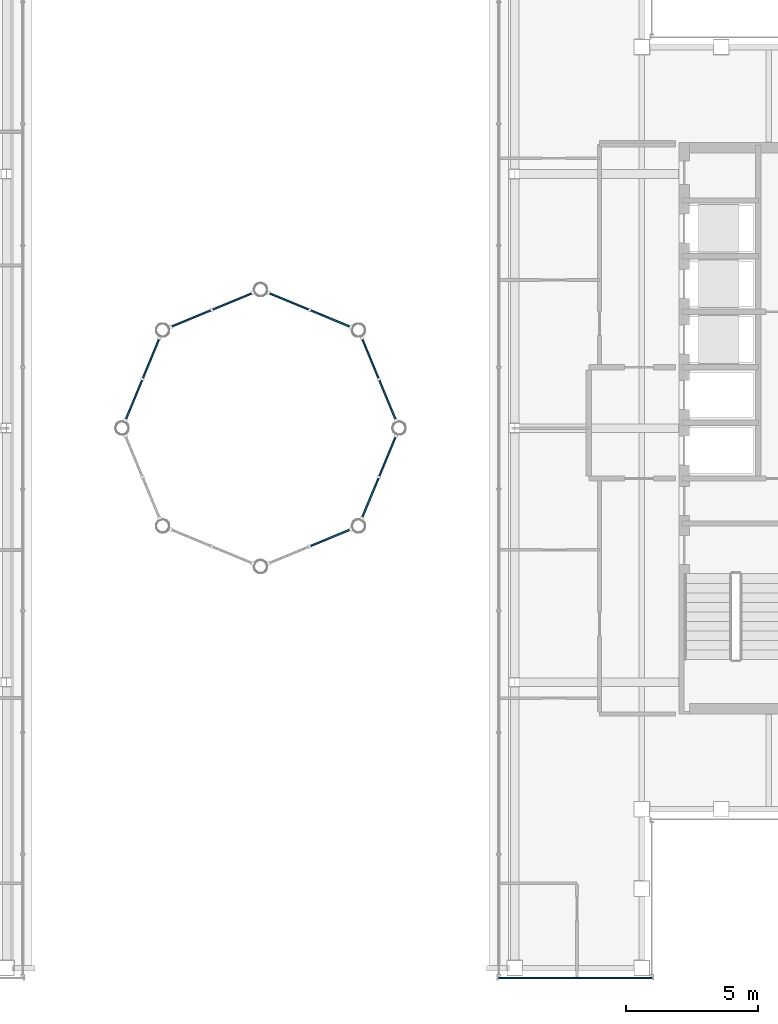
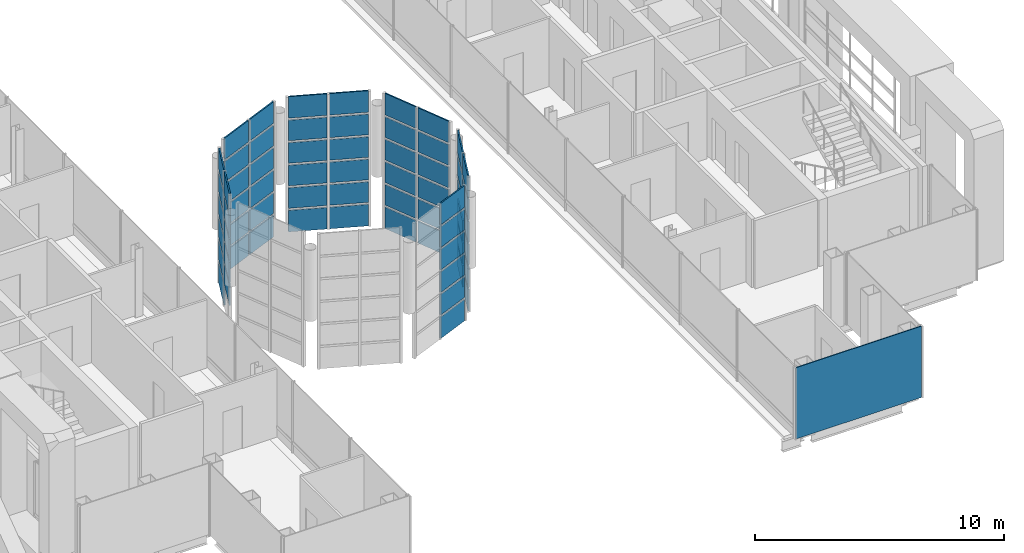
# One storey, part 11 of 21: 66 plates, 7 elements without a shape of their own.
"""IFC4 building model written with IfcOpenShell, lengths in metres."""

from ifc_helpers import new_model, si_unit, direction, frame, origin, origin_2d, place, context, subcontext, project, spatial, rectangle, extrude, material, layer, layer_set, type_object, element, aggregate, save


model = new_model("IFC4")

# Units and contexts
model_context = context("Model", 3, precision=1e-05, world=origin(), true_north=direction((0.0, 1.0)))
body_context = subcontext(model_context, "Body", "Model", "MODEL_VIEW")
ifc_project = project(units=[si_unit("LENGTHUNIT", "METRE"), si_unit("AREAUNIT", "SQUARE_METRE"), si_unit("VOLUMEUNIT", "CUBIC_METRE"), si_unit("PLANEANGLEUNIT", "RADIAN"), si_unit("MASSUNIT", "GRAM", prefix="KILO")], contexts=[model_context])

# Site, building, storey
site_placement = place(None, origin())
site = spatial("IfcSite", under=ifc_project, at=site_placement, CompositionType="ELEMENT")
building_placement = place(site_placement, origin())
building = spatial("IfcBuilding", under=site, at=building_placement, Name="Cobrizo Arcos Hotel Tower", CompositionType="ELEMENT")
storey_placement = place(building_placement, frame((0.0, 0.0, 276.0)))
storey = spatial("IfcBuildingStorey", under=building, at=storey_placement, Name="L73", CompositionType="ELEMENT", Elevation=276.0)

# Curtain wall, plate
ifc_material_1 = material(Name="Aluminium 6063-T6 anodised bronze", Category="aluminium")
curtain_wall_type_1 = type_object("IfcCurtainWallType", Name="CW-A guest facade", PredefinedType="NOTDEFINED", material=ifc_material_1)
curtain_wall_1_placement = place(storey_placement, origin())
curtain_wall_1 = element("IfcCurtainWall", 1, at=curtain_wall_1_placement, inside=storey, type_object=curtain_wall_type_1, Name="CW-A L73 S face", PredefinedType="NOTDEFINED")
ifc_material_2 = material(Name="Aluminium composite panel pale metal", Category="aluminium")
ifc_layer_1 = layer(ifc_material_2, 0.0400390625)
ifc_layer_set_1 = layer_set([ifc_layer_1], Name="CW-A spandrel panel")
plate_type_1 = type_object("IfcPlateType", Name="CW-A spandrel panel", PredefinedType="CURTAIN_PANEL", material=ifc_layer_set_1)
plate_1_placement = place(storey_placement, frame((11.882568359375, -20.77490234375, 0.0), z_axis=(0.0, 0.0, 1.0), x_axis=(1.0, 0.0, 0.0)))
plate_1 = element("IfcPlate", 2, at=plate_1_placement, type_object=plate_type_1, Name="CW-A spandrel panel 2300", PredefinedType="CURTAIN_PANEL", context=body_context, shape_type="SweptSolid", body=[
    extrude(rectangle(XDim=5.81494140625, YDim=0.0400390625, at=origin_2d()), origin(), (0.0, 0.0, 1.0), 3.5),
])
aggregate(curtain_wall_1, [plate_1])

# Curtain wall, plates
curtain_wall_type_2 = type_object("IfcCurtainWallType", Name="CW-D plant louvre wall", PredefinedType="NOTDEFINED", material=ifc_material_1)
curtain_wall_2_placement = place(storey_placement, origin())
curtain_wall_2 = element("IfcCurtainWall", 3, at=curtain_wall_2_placement, inside=storey, type_object=curtain_wall_type_2, Name="CW-D drum louvre wall t1-1", PredefinedType="NOTDEFINED")
ifc_layer_2 = layer(ifc_material_2, 0.06005859375)
ifc_layer_set_2 = layer_set([ifc_layer_2], Name="CW-D spandrel panel")
plate_type_2 = type_object("IfcPlateType", Name="CW-D spandrel panel", PredefinedType="CURTAIN_PANEL", material=ifc_layer_set_2)
plate_2_placement = place(storey_placement, frame((4.785400390625, 1.079345703125, -2.5), z_axis=(0.0, 0.0, 1.0), x_axis=(-0.382683432365, 0.923879532511, 0.0)))
plate_2 = element("IfcPlate", 4, at=plate_2_placement, type_object=plate_type_2, Name="CW-D louvre panel 1-0", PredefinedType="CURTAIN_PANEL", context=body_context, shape_type="SweptSolid", body=[
    extrude(rectangle(XDim=1.568359375, YDim=0.06005859375, at=origin_2d()), origin(), (0.0, 0.0, 1.0), 1.0556640625),
])
plate_3_placement = place(storey_placement, frame((4.785400390625, 1.079345703125, -1.3447265625), z_axis=(0.0, 0.0, 1.0), x_axis=(-0.382683432365, 0.923879532511, 0.0)))
plate_3 = element("IfcPlate", 5, at=plate_3_placement, type_object=plate_type_2, Name="CW-D louvre panel 1-1", PredefinedType="CURTAIN_PANEL", context=body_context, shape_type="SweptSolid", body=[
    extrude(rectangle(XDim=1.568359375, YDim=0.06005859375, at=origin_2d()), origin(), (0.0, 0.0, 1.0), 1.005615234375),
])
plate_4_placement = place(storey_placement, frame((4.785400390625, 1.079345703125, -0.23876953125), z_axis=(0.0, 0.0, 1.0), x_axis=(-0.382683432365, 0.923879532511, 0.0)))
plate_4 = element("IfcPlate", 6, at=plate_4_placement, type_object=plate_type_2, Name="CW-D louvre panel 1-2", PredefinedType="CURTAIN_PANEL", context=body_context, shape_type="SweptSolid", body=[
    extrude(rectangle(XDim=1.568359375, YDim=0.06005859375, at=origin_2d()), origin(), (0.0, 0.0, 1.0), 1.005615234375),
])
plate_5_placement = place(storey_placement, frame((4.785400390625, 1.079345703125, 0.86669921875), z_axis=(0.0, 0.0, 1.0), x_axis=(-0.382683432365, 0.923879532511, 0.0)))
plate_5 = element("IfcPlate", 7, at=plate_5_placement, type_object=plate_type_2, Name="CW-D louvre panel 1-3", PredefinedType="CURTAIN_PANEL", context=body_context, shape_type="SweptSolid", body=[
    extrude(rectangle(XDim=1.568359375, YDim=0.06005859375, at=origin_2d()), origin(), (0.0, 0.0, 1.0), 1.005615234375),
])
plate_6_placement = place(storey_placement, frame((4.785400390625, 1.079345703125, 1.97216796875), z_axis=(0.0, 0.0, 1.0), x_axis=(-0.382683432365, 0.923879532511, 0.0)))
plate_6 = element("IfcPlate", 8, at=plate_6_placement, type_object=plate_type_2, Name="CW-D louvre panel 1-4", PredefinedType="CURTAIN_PANEL", context=body_context, shape_type="SweptSolid", body=[
    extrude(rectangle(XDim=1.568359375, YDim=0.06005859375, at=origin_2d()), origin(), (0.0, 0.0, 1.0), 1.005615234375),
])
plate_7_placement = place(storey_placement, frame((4.785400390625, 1.079345703125, 3.077880859375), z_axis=(0.0, 0.0, 1.0), x_axis=(-0.382683432365, 0.923879532511, 0.0)))
plate_7 = element("IfcPlate", 9, at=plate_7_placement, type_object=plate_type_2, Name="CW-D louvre panel 1-5", PredefinedType="CURTAIN_PANEL", context=body_context, shape_type="SweptSolid", body=[
    extrude(rectangle(XDim=1.568359375, YDim=0.06005859375, at=origin_2d()), origin(), (0.0, 0.0, 1.0), 1.0556640625),
])
plate_8_placement = place(storey_placement, frame((4.147216796875, 2.62060546875, -2.5), z_axis=(0.0, 0.0, 1.0), x_axis=(-0.382683432365, 0.923879532511, 0.0)))
plate_8 = element("IfcPlate", 10, at=plate_8_placement, type_object=plate_type_2, Name="CW-D louvre panel 2-0", PredefinedType="CURTAIN_PANEL", context=body_context, shape_type="SweptSolid", body=[
    extrude(rectangle(XDim=1.568359375, YDim=0.06005859375, at=origin_2d()), origin(), (0.0, 0.0, 1.0), 1.0556640625),
])
plate_9_placement = place(storey_placement, frame((4.147216796875, 2.62060546875, -1.3447265625), z_axis=(0.0, 0.0, 1.0), x_axis=(-0.382683432365, 0.923879532511, 0.0)))
plate_9 = element("IfcPlate", 11, at=plate_9_placement, type_object=plate_type_2, Name="CW-D louvre panel 2-1", PredefinedType="CURTAIN_PANEL", context=body_context, shape_type="SweptSolid", body=[
    extrude(rectangle(XDim=1.568359375, YDim=0.06005859375, at=origin_2d()), origin(), (0.0, 0.0, 1.0), 1.005615234375),
])
plate_10_placement = place(storey_placement, frame((4.147216796875, 2.62060546875, -0.23876953125), z_axis=(0.0, 0.0, 1.0), x_axis=(-0.382683432365, 0.923879532511, 0.0)))
plate_10 = element("IfcPlate", 12, at=plate_10_placement, type_object=plate_type_2, Name="CW-D louvre panel 2-2", PredefinedType="CURTAIN_PANEL", context=body_context, shape_type="SweptSolid", body=[
    extrude(rectangle(XDim=1.568359375, YDim=0.06005859375, at=origin_2d()), origin(), (0.0, 0.0, 1.0), 1.005615234375),
])
plate_11_placement = place(storey_placement, frame((4.147216796875, 2.62060546875, 0.86669921875), z_axis=(0.0, 0.0, 1.0), x_axis=(-0.382683432365, 0.923879532511, 0.0)))
plate_11 = element("IfcPlate", 13, at=plate_11_placement, type_object=plate_type_2, Name="CW-D louvre panel 2-3", PredefinedType="CURTAIN_PANEL", context=body_context, shape_type="SweptSolid", body=[
    extrude(rectangle(XDim=1.568359375, YDim=0.06005859375, at=origin_2d()), origin(), (0.0, 0.0, 1.0), 1.005615234375),
])
plate_12_placement = place(storey_placement, frame((4.147216796875, 2.62060546875, 1.97216796875), z_axis=(0.0, 0.0, 1.0), x_axis=(-0.382683432365, 0.923879532511, 0.0)))
plate_12 = element("IfcPlate", 14, at=plate_12_placement, type_object=plate_type_2, Name="CW-D louvre panel 2-4", PredefinedType="CURTAIN_PANEL", context=body_context, shape_type="SweptSolid", body=[
    extrude(rectangle(XDim=1.568359375, YDim=0.06005859375, at=origin_2d()), origin(), (0.0, 0.0, 1.0), 1.005615234375),
])
plate_13_placement = place(storey_placement, frame((4.147216796875, 2.62060546875, 3.077880859375), z_axis=(0.0, 0.0, 1.0), x_axis=(-0.382683432365, 0.923879532511, 0.0)))
plate_13 = element("IfcPlate", 15, at=plate_13_placement, type_object=plate_type_2, Name="CW-D louvre panel 2-5", PredefinedType="CURTAIN_PANEL", context=body_context, shape_type="SweptSolid", body=[
    extrude(rectangle(XDim=1.568359375, YDim=0.06005859375, at=origin_2d()), origin(), (0.0, 0.0, 1.0), 1.0556640625),
])
aggregate(curtain_wall_2, [plate_2, plate_3, plate_4, plate_5, plate_6, plate_7, plate_8, plate_9, plate_10, plate_11, plate_12, plate_13])

curtain_wall_3_placement = place(storey_placement, origin())
curtain_wall_3 = element("IfcCurtainWall", 16, at=curtain_wall_3_placement, inside=storey, type_object=curtain_wall_type_2, Name="CW-D drum louvre wall t1-2", PredefinedType="NOTDEFINED")
plate_14_placement = place(storey_placement, frame((2.62060546875, 4.147216796875, -2.5), z_axis=(0.0, 0.0, 1.0), x_axis=(-0.923879532511, 0.382683432365, 0.0)))
plate_14 = element("IfcPlate", 17, at=plate_14_placement, type_object=plate_type_2, Name="CW-D louvre panel 1-0", PredefinedType="CURTAIN_PANEL", context=body_context, shape_type="SweptSolid", body=[
    extrude(rectangle(XDim=1.568359375, YDim=0.06005859375, at=origin_2d()), origin(), (0.0, 0.0, 1.0), 1.0556640625),
])
plate_15_placement = place(storey_placement, frame((2.62060546875, 4.147216796875, -1.3447265625), z_axis=(0.0, 0.0, 1.0), x_axis=(-0.923879532511, 0.382683432365, 0.0)))
plate_15 = element("IfcPlate", 18, at=plate_15_placement, type_object=plate_type_2, Name="CW-D louvre panel 1-1", PredefinedType="CURTAIN_PANEL", context=body_context, shape_type="SweptSolid", body=[
    extrude(rectangle(XDim=1.568359375, YDim=0.06005859375, at=origin_2d()), origin(), (0.0, 0.0, 1.0), 1.005615234375),
])
plate_16_placement = place(storey_placement, frame((2.62060546875, 4.147216796875, -0.23876953125), z_axis=(0.0, 0.0, 1.0), x_axis=(-0.923879532511, 0.382683432365, 0.0)))
plate_16 = element("IfcPlate", 19, at=plate_16_placement, type_object=plate_type_2, Name="CW-D louvre panel 1-2", PredefinedType="CURTAIN_PANEL", context=body_context, shape_type="SweptSolid", body=[
    extrude(rectangle(XDim=1.568359375, YDim=0.06005859375, at=origin_2d()), origin(), (0.0, 0.0, 1.0), 1.005615234375),
])
plate_17_placement = place(storey_placement, frame((2.62060546875, 4.147216796875, 0.86669921875), z_axis=(0.0, 0.0, 1.0), x_axis=(-0.923879532511, 0.382683432365, 0.0)))
plate_17 = element("IfcPlate", 20, at=plate_17_placement, type_object=plate_type_2, Name="CW-D louvre panel 1-3", PredefinedType="CURTAIN_PANEL", context=body_context, shape_type="SweptSolid", body=[
    extrude(rectangle(XDim=1.568359375, YDim=0.06005859375, at=origin_2d()), origin(), (0.0, 0.0, 1.0), 1.005615234375),
])
plate_18_placement = place(storey_placement, frame((2.62060546875, 4.147216796875, 1.97216796875), z_axis=(0.0, 0.0, 1.0), x_axis=(-0.923879532511, 0.382683432365, 0.0)))
plate_18 = element("IfcPlate", 21, at=plate_18_placement, type_object=plate_type_2, Name="CW-D louvre panel 1-4", PredefinedType="CURTAIN_PANEL", context=body_context, shape_type="SweptSolid", body=[
    extrude(rectangle(XDim=1.568359375, YDim=0.06005859375, at=origin_2d()), origin(), (0.0, 0.0, 1.0), 1.005615234375),
])
plate_19_placement = place(storey_placement, frame((2.62060546875, 4.147216796875, 3.077880859375), z_axis=(0.0, 0.0, 1.0), x_axis=(-0.923879532511, 0.382683432365, 0.0)))
plate_19 = element("IfcPlate", 22, at=plate_19_placement, type_object=plate_type_2, Name="CW-D louvre panel 1-5", PredefinedType="CURTAIN_PANEL", context=body_context, shape_type="SweptSolid", body=[
    extrude(rectangle(XDim=1.568359375, YDim=0.06005859375, at=origin_2d()), origin(), (0.0, 0.0, 1.0), 1.0556640625),
])
plate_20_placement = place(storey_placement, frame((1.079345703125, 4.785400390625, -2.5), z_axis=(0.0, 0.0, 1.0), x_axis=(-0.923879532511, 0.382683432365, 0.0)))
plate_20 = element("IfcPlate", 23, at=plate_20_placement, type_object=plate_type_2, Name="CW-D louvre panel 2-0", PredefinedType="CURTAIN_PANEL", context=body_context, shape_type="SweptSolid", body=[
    extrude(rectangle(XDim=1.568359375, YDim=0.06005859375, at=origin_2d()), origin(), (0.0, 0.0, 1.0), 1.0556640625),
])
plate_21_placement = place(storey_placement, frame((1.079345703125, 4.785400390625, -1.3447265625), z_axis=(0.0, 0.0, 1.0), x_axis=(-0.923879532511, 0.382683432365, 0.0)))
plate_21 = element("IfcPlate", 24, at=plate_21_placement, type_object=plate_type_2, Name="CW-D louvre panel 2-1", PredefinedType="CURTAIN_PANEL", context=body_context, shape_type="SweptSolid", body=[
    extrude(rectangle(XDim=1.568359375, YDim=0.06005859375, at=origin_2d()), origin(), (0.0, 0.0, 1.0), 1.005615234375),
])
plate_22_placement = place(storey_placement, frame((1.079345703125, 4.785400390625, -0.23876953125), z_axis=(0.0, 0.0, 1.0), x_axis=(-0.923879532511, 0.382683432365, 0.0)))
plate_22 = element("IfcPlate", 25, at=plate_22_placement, type_object=plate_type_2, Name="CW-D louvre panel 2-2", PredefinedType="CURTAIN_PANEL", context=body_context, shape_type="SweptSolid", body=[
    extrude(rectangle(XDim=1.568359375, YDim=0.06005859375, at=origin_2d()), origin(), (0.0, 0.0, 1.0), 1.005615234375),
])
plate_23_placement = place(storey_placement, frame((1.079345703125, 4.785400390625, 0.86669921875), z_axis=(0.0, 0.0, 1.0), x_axis=(-0.923879532511, 0.382683432365, 0.0)))
plate_23 = element("IfcPlate", 26, at=plate_23_placement, type_object=plate_type_2, Name="CW-D louvre panel 2-3", PredefinedType="CURTAIN_PANEL", context=body_context, shape_type="SweptSolid", body=[
    extrude(rectangle(XDim=1.568359375, YDim=0.06005859375, at=origin_2d()), origin(), (0.0, 0.0, 1.0), 1.005615234375),
])
plate_24_placement = place(storey_placement, frame((1.079345703125, 4.785400390625, 1.97216796875), z_axis=(0.0, 0.0, 1.0), x_axis=(-0.923879532511, 0.382683432365, 0.0)))
plate_24 = element("IfcPlate", 27, at=plate_24_placement, type_object=plate_type_2, Name="CW-D louvre panel 2-4", PredefinedType="CURTAIN_PANEL", context=body_context, shape_type="SweptSolid", body=[
    extrude(rectangle(XDim=1.568359375, YDim=0.06005859375, at=origin_2d()), origin(), (0.0, 0.0, 1.0), 1.005615234375),
])
plate_25_placement = place(storey_placement, frame((1.079345703125, 4.785400390625, 3.077880859375), z_axis=(0.0, 0.0, 1.0), x_axis=(-0.923879532511, 0.382683432365, 0.0)))
plate_25 = element("IfcPlate", 28, at=plate_25_placement, type_object=plate_type_2, Name="CW-D louvre panel 2-5", PredefinedType="CURTAIN_PANEL", context=body_context, shape_type="SweptSolid", body=[
    extrude(rectangle(XDim=1.568359375, YDim=0.06005859375, at=origin_2d()), origin(), (0.0, 0.0, 1.0), 1.0556640625),
])
aggregate(curtain_wall_3, [plate_14, plate_15, plate_16, plate_17, plate_18, plate_19, plate_20, plate_21, plate_22, plate_23, plate_24, plate_25])

curtain_wall_4_placement = place(storey_placement, origin())
curtain_wall_4 = element("IfcCurtainWall", 29, at=curtain_wall_4_placement, inside=storey, type_object=curtain_wall_type_2, Name="CW-D drum louvre wall t1-3", PredefinedType="NOTDEFINED")
plate_26_placement = place(storey_placement, frame((-1.079345703125, 4.785400390625, -2.5), z_axis=(0.0, 0.0, 1.0), x_axis=(-0.923879532511, -0.382683432365, 0.0)))
plate_26 = element("IfcPlate", 30, at=plate_26_placement, type_object=plate_type_2, Name="CW-D louvre panel 1-0", PredefinedType="CURTAIN_PANEL", context=body_context, shape_type="SweptSolid", body=[
    extrude(rectangle(XDim=1.568359375, YDim=0.06005859375, at=origin_2d()), origin(), (0.0, 0.0, 1.0), 1.0556640625),
])
plate_27_placement = place(storey_placement, frame((-1.079345703125, 4.785400390625, -1.3447265625), z_axis=(0.0, 0.0, 1.0), x_axis=(-0.923879532511, -0.382683432365, 0.0)))
plate_27 = element("IfcPlate", 31, at=plate_27_placement, type_object=plate_type_2, Name="CW-D louvre panel 1-1", PredefinedType="CURTAIN_PANEL", context=body_context, shape_type="SweptSolid", body=[
    extrude(rectangle(XDim=1.568359375, YDim=0.06005859375, at=origin_2d()), origin(), (0.0, 0.0, 1.0), 1.005615234375),
])
plate_28_placement = place(storey_placement, frame((-1.079345703125, 4.785400390625, -0.23876953125), z_axis=(0.0, 0.0, 1.0), x_axis=(-0.923879532511, -0.382683432365, 0.0)))
plate_28 = element("IfcPlate", 32, at=plate_28_placement, type_object=plate_type_2, Name="CW-D louvre panel 1-2", PredefinedType="CURTAIN_PANEL", context=body_context, shape_type="SweptSolid", body=[
    extrude(rectangle(XDim=1.568359375, YDim=0.06005859375, at=origin_2d()), origin(), (0.0, 0.0, 1.0), 1.005615234375),
])
plate_29_placement = place(storey_placement, frame((-1.079345703125, 4.785400390625, 0.86669921875), z_axis=(0.0, 0.0, 1.0), x_axis=(-0.923879532511, -0.382683432365, 0.0)))
plate_29 = element("IfcPlate", 33, at=plate_29_placement, type_object=plate_type_2, Name="CW-D louvre panel 1-3", PredefinedType="CURTAIN_PANEL", context=body_context, shape_type="SweptSolid", body=[
    extrude(rectangle(XDim=1.568359375, YDim=0.06005859375, at=origin_2d()), origin(), (0.0, 0.0, 1.0), 1.005615234375),
])
plate_30_placement = place(storey_placement, frame((-1.079345703125, 4.785400390625, 1.97216796875), z_axis=(0.0, 0.0, 1.0), x_axis=(-0.923879532511, -0.382683432365, 0.0)))
plate_30 = element("IfcPlate", 34, at=plate_30_placement, type_object=plate_type_2, Name="CW-D louvre panel 1-4", PredefinedType="CURTAIN_PANEL", context=body_context, shape_type="SweptSolid", body=[
    extrude(rectangle(XDim=1.568359375, YDim=0.06005859375, at=origin_2d()), origin(), (0.0, 0.0, 1.0), 1.005615234375),
])
plate_31_placement = place(storey_placement, frame((-1.079345703125, 4.785400390625, 3.077880859375), z_axis=(0.0, 0.0, 1.0), x_axis=(-0.923879532511, -0.382683432365, 0.0)))
plate_31 = element("IfcPlate", 35, at=plate_31_placement, type_object=plate_type_2, Name="CW-D louvre panel 1-5", PredefinedType="CURTAIN_PANEL", context=body_context, shape_type="SweptSolid", body=[
    extrude(rectangle(XDim=1.568359375, YDim=0.06005859375, at=origin_2d()), origin(), (0.0, 0.0, 1.0), 1.0556640625),
])
plate_32_placement = place(storey_placement, frame((-2.62060546875, 4.147216796875, -2.5), z_axis=(0.0, 0.0, 1.0), x_axis=(-0.923879532511, -0.382683432365, 0.0)))
plate_32 = element("IfcPlate", 36, at=plate_32_placement, type_object=plate_type_2, Name="CW-D louvre panel 2-0", PredefinedType="CURTAIN_PANEL", context=body_context, shape_type="SweptSolid", body=[
    extrude(rectangle(XDim=1.568359375, YDim=0.06005859375, at=origin_2d()), origin(), (0.0, 0.0, 1.0), 1.0556640625),
])
plate_33_placement = place(storey_placement, frame((-2.62060546875, 4.147216796875, -1.3447265625), z_axis=(0.0, 0.0, 1.0), x_axis=(-0.923879532511, -0.382683432365, 0.0)))
plate_33 = element("IfcPlate", 37, at=plate_33_placement, type_object=plate_type_2, Name="CW-D louvre panel 2-1", PredefinedType="CURTAIN_PANEL", context=body_context, shape_type="SweptSolid", body=[
    extrude(rectangle(XDim=1.568359375, YDim=0.06005859375, at=origin_2d()), origin(), (0.0, 0.0, 1.0), 1.005615234375),
])
plate_34_placement = place(storey_placement, frame((-2.62060546875, 4.147216796875, -0.23876953125), z_axis=(0.0, 0.0, 1.0), x_axis=(-0.923879532511, -0.382683432365, 0.0)))
plate_34 = element("IfcPlate", 38, at=plate_34_placement, type_object=plate_type_2, Name="CW-D louvre panel 2-2", PredefinedType="CURTAIN_PANEL", context=body_context, shape_type="SweptSolid", body=[
    extrude(rectangle(XDim=1.568359375, YDim=0.06005859375, at=origin_2d()), origin(), (0.0, 0.0, 1.0), 1.005615234375),
])
plate_35_placement = place(storey_placement, frame((-2.62060546875, 4.147216796875, 0.86669921875), z_axis=(0.0, 0.0, 1.0), x_axis=(-0.923879532511, -0.382683432365, 0.0)))
plate_35 = element("IfcPlate", 39, at=plate_35_placement, type_object=plate_type_2, Name="CW-D louvre panel 2-3", PredefinedType="CURTAIN_PANEL", context=body_context, shape_type="SweptSolid", body=[
    extrude(rectangle(XDim=1.568359375, YDim=0.06005859375, at=origin_2d()), origin(), (0.0, 0.0, 1.0), 1.005615234375),
])
plate_36_placement = place(storey_placement, frame((-2.62060546875, 4.147216796875, 1.97216796875), z_axis=(0.0, 0.0, 1.0), x_axis=(-0.923879532511, -0.382683432365, 0.0)))
plate_36 = element("IfcPlate", 40, at=plate_36_placement, type_object=plate_type_2, Name="CW-D louvre panel 2-4", PredefinedType="CURTAIN_PANEL", context=body_context, shape_type="SweptSolid", body=[
    extrude(rectangle(XDim=1.568359375, YDim=0.06005859375, at=origin_2d()), origin(), (0.0, 0.0, 1.0), 1.005615234375),
])
plate_37_placement = place(storey_placement, frame((-2.62060546875, 4.147216796875, 3.077880859375), z_axis=(0.0, 0.0, 1.0), x_axis=(-0.923879532511, -0.382683432365, 0.0)))
plate_37 = element("IfcPlate", 41, at=plate_37_placement, type_object=plate_type_2, Name="CW-D louvre panel 2-5", PredefinedType="CURTAIN_PANEL", context=body_context, shape_type="SweptSolid", body=[
    extrude(rectangle(XDim=1.568359375, YDim=0.06005859375, at=origin_2d()), origin(), (0.0, 0.0, 1.0), 1.0556640625),
])
aggregate(curtain_wall_4, [plate_26, plate_27, plate_28, plate_29, plate_30, plate_31, plate_32, plate_33, plate_34, plate_35, plate_36, plate_37])

curtain_wall_5_placement = place(storey_placement, origin())
curtain_wall_5 = element("IfcCurtainWall", 42, at=curtain_wall_5_placement, inside=storey, type_object=curtain_wall_type_2, Name="CW-D drum louvre wall t1-4", PredefinedType="NOTDEFINED")
plate_38_placement = place(storey_placement, frame((-4.147216796875, 2.62060546875, -2.5), z_axis=(0.0, 0.0, 1.0), x_axis=(-0.382683432365, -0.923879532511, 0.0)))
plate_38 = element("IfcPlate", 43, at=plate_38_placement, type_object=plate_type_2, Name="CW-D louvre panel 1-0", PredefinedType="CURTAIN_PANEL", context=body_context, shape_type="SweptSolid", body=[
    extrude(rectangle(XDim=1.568359375, YDim=0.06005859375, at=origin_2d()), origin(), (0.0, 0.0, 1.0), 1.0556640625),
])
plate_39_placement = place(storey_placement, frame((-4.147216796875, 2.62060546875, -1.3447265625), z_axis=(0.0, 0.0, 1.0), x_axis=(-0.382683432365, -0.923879532511, 0.0)))
plate_39 = element("IfcPlate", 44, at=plate_39_placement, type_object=plate_type_2, Name="CW-D louvre panel 1-1", PredefinedType="CURTAIN_PANEL", context=body_context, shape_type="SweptSolid", body=[
    extrude(rectangle(XDim=1.568359375, YDim=0.06005859375, at=origin_2d()), origin(), (0.0, 0.0, 1.0), 1.005615234375),
])
plate_40_placement = place(storey_placement, frame((-4.147216796875, 2.62060546875, -0.23876953125), z_axis=(0.0, 0.0, 1.0), x_axis=(-0.382683432365, -0.923879532511, 0.0)))
plate_40 = element("IfcPlate", 45, at=plate_40_placement, type_object=plate_type_2, Name="CW-D louvre panel 1-2", PredefinedType="CURTAIN_PANEL", context=body_context, shape_type="SweptSolid", body=[
    extrude(rectangle(XDim=1.568359375, YDim=0.06005859375, at=origin_2d()), origin(), (0.0, 0.0, 1.0), 1.005615234375),
])
plate_41_placement = place(storey_placement, frame((-4.147216796875, 2.62060546875, 0.86669921875), z_axis=(0.0, 0.0, 1.0), x_axis=(-0.382683432365, -0.923879532511, 0.0)))
plate_41 = element("IfcPlate", 46, at=plate_41_placement, type_object=plate_type_2, Name="CW-D louvre panel 1-3", PredefinedType="CURTAIN_PANEL", context=body_context, shape_type="SweptSolid", body=[
    extrude(rectangle(XDim=1.568359375, YDim=0.06005859375, at=origin_2d()), origin(), (0.0, 0.0, 1.0), 1.005615234375),
])
plate_42_placement = place(storey_placement, frame((-4.147216796875, 2.62060546875, 1.97216796875), z_axis=(0.0, 0.0, 1.0), x_axis=(-0.382683432365, -0.923879532511, 0.0)))
plate_42 = element("IfcPlate", 47, at=plate_42_placement, type_object=plate_type_2, Name="CW-D louvre panel 1-4", PredefinedType="CURTAIN_PANEL", context=body_context, shape_type="SweptSolid", body=[
    extrude(rectangle(XDim=1.568359375, YDim=0.06005859375, at=origin_2d()), origin(), (0.0, 0.0, 1.0), 1.005615234375),
])
plate_43_placement = place(storey_placement, frame((-4.147216796875, 2.62060546875, 3.077880859375), z_axis=(0.0, 0.0, 1.0), x_axis=(-0.382683432365, -0.923879532511, 0.0)))
plate_43 = element("IfcPlate", 48, at=plate_43_placement, type_object=plate_type_2, Name="CW-D louvre panel 1-5", PredefinedType="CURTAIN_PANEL", context=body_context, shape_type="SweptSolid", body=[
    extrude(rectangle(XDim=1.568359375, YDim=0.06005859375, at=origin_2d()), origin(), (0.0, 0.0, 1.0), 1.0556640625),
])
plate_44_placement = place(storey_placement, frame((-4.785400390625, 1.079345703125, -1.3447265625), z_axis=(0.0, 0.0, 1.0), x_axis=(-0.382683432365, -0.923879532511, 0.0)))
plate_44 = element("IfcPlate", 49, at=plate_44_placement, type_object=plate_type_2, Name="CW-D louvre panel 2-1", PredefinedType="CURTAIN_PANEL", context=body_context, shape_type="SweptSolid", body=[
    extrude(rectangle(XDim=1.568359375, YDim=0.06005859375, at=origin_2d()), origin(), (0.0, 0.0, 1.0), 1.005615234375),
])
plate_45_placement = place(storey_placement, frame((-4.785400390625, 1.079345703125, -0.23876953125), z_axis=(0.0, 0.0, 1.0), x_axis=(-0.382683432365, -0.923879532511, 0.0)))
plate_45 = element("IfcPlate", 50, at=plate_45_placement, type_object=plate_type_2, Name="CW-D louvre panel 2-2", PredefinedType="CURTAIN_PANEL", context=body_context, shape_type="SweptSolid", body=[
    extrude(rectangle(XDim=1.568359375, YDim=0.06005859375, at=origin_2d()), origin(), (0.0, 0.0, 1.0), 1.005615234375),
])
plate_46_placement = place(storey_placement, frame((-4.785400390625, 1.079345703125, 0.86669921875), z_axis=(0.0, 0.0, 1.0), x_axis=(-0.382683432365, -0.923879532511, 0.0)))
plate_46 = element("IfcPlate", 51, at=plate_46_placement, type_object=plate_type_2, Name="CW-D louvre panel 2-3", PredefinedType="CURTAIN_PANEL", context=body_context, shape_type="SweptSolid", body=[
    extrude(rectangle(XDim=1.568359375, YDim=0.06005859375, at=origin_2d()), origin(), (0.0, 0.0, 1.0), 1.005615234375),
])
plate_47_placement = place(storey_placement, frame((-4.785400390625, 1.079345703125, 1.97216796875), z_axis=(0.0, 0.0, 1.0), x_axis=(-0.382683432365, -0.923879532511, 0.0)))
plate_47 = element("IfcPlate", 52, at=plate_47_placement, type_object=plate_type_2, Name="CW-D louvre panel 2-4", PredefinedType="CURTAIN_PANEL", context=body_context, shape_type="SweptSolid", body=[
    extrude(rectangle(XDim=1.568359375, YDim=0.06005859375, at=origin_2d()), origin(), (0.0, 0.0, 1.0), 1.005615234375),
])
plate_48_placement = place(storey_placement, frame((-4.785400390625, 1.079345703125, 3.077880859375), z_axis=(0.0, 0.0, 1.0), x_axis=(-0.382683432365, -0.923879532511, 0.0)))
plate_48 = element("IfcPlate", 53, at=plate_48_placement, type_object=plate_type_2, Name="CW-D louvre panel 2-5", PredefinedType="CURTAIN_PANEL", context=body_context, shape_type="SweptSolid", body=[
    extrude(rectangle(XDim=1.568359375, YDim=0.06005859375, at=origin_2d()), origin(), (0.0, 0.0, 1.0), 1.0556640625),
])
aggregate(curtain_wall_5, [plate_38, plate_39, plate_40, plate_41, plate_42, plate_43, plate_44, plate_45, plate_46, plate_47, plate_48])

curtain_wall_6_placement = place(storey_placement, origin())
curtain_wall_6 = element("IfcCurtainWall", 54, at=curtain_wall_6_placement, inside=storey, type_object=curtain_wall_type_2, Name="CW-D drum louvre wall t1-7", PredefinedType="NOTDEFINED")
plate_49_placement = place(storey_placement, frame((2.62060546875, -4.147216796875, -2.5), z_axis=(0.0, 0.0, 1.0), x_axis=(0.923879532511, 0.382683432365, 0.0)))
plate_49 = element("IfcPlate", 55, at=plate_49_placement, type_object=plate_type_2, Name="CW-D louvre panel 2-0", PredefinedType="CURTAIN_PANEL", context=body_context, shape_type="SweptSolid", body=[
    extrude(rectangle(XDim=1.568359375, YDim=0.06005859375, at=origin_2d()), origin(), (0.0, 0.0, 1.0), 1.0556640625),
])
plate_50_placement = place(storey_placement, frame((2.62060546875, -4.147216796875, -1.3447265625), z_axis=(0.0, 0.0, 1.0), x_axis=(0.923879532511, 0.382683432365, 0.0)))
plate_50 = element("IfcPlate", 56, at=plate_50_placement, type_object=plate_type_2, Name="CW-D louvre panel 2-1", PredefinedType="CURTAIN_PANEL", context=body_context, shape_type="SweptSolid", body=[
    extrude(rectangle(XDim=1.568359375, YDim=0.06005859375, at=origin_2d()), origin(), (0.0, 0.0, 1.0), 1.005615234375),
])
plate_51_placement = place(storey_placement, frame((2.62060546875, -4.147216796875, -0.23876953125), z_axis=(0.0, 0.0, 1.0), x_axis=(0.923879532511, 0.382683432365, 0.0)))
plate_51 = element("IfcPlate", 57, at=plate_51_placement, type_object=plate_type_2, Name="CW-D louvre panel 2-2", PredefinedType="CURTAIN_PANEL", context=body_context, shape_type="SweptSolid", body=[
    extrude(rectangle(XDim=1.568359375, YDim=0.06005859375, at=origin_2d()), origin(), (0.0, 0.0, 1.0), 1.005615234375),
])
plate_52_placement = place(storey_placement, frame((2.62060546875, -4.147216796875, 0.86669921875), z_axis=(0.0, 0.0, 1.0), x_axis=(0.923879532511, 0.382683432365, 0.0)))
plate_52 = element("IfcPlate", 58, at=plate_52_placement, type_object=plate_type_2, Name="CW-D louvre panel 2-3", PredefinedType="CURTAIN_PANEL", context=body_context, shape_type="SweptSolid", body=[
    extrude(rectangle(XDim=1.568359375, YDim=0.06005859375, at=origin_2d()), origin(), (0.0, 0.0, 1.0), 1.005615234375),
])
plate_53_placement = place(storey_placement, frame((2.62060546875, -4.147216796875, 1.97216796875), z_axis=(0.0, 0.0, 1.0), x_axis=(0.923879532511, 0.382683432365, 0.0)))
plate_53 = element("IfcPlate", 59, at=plate_53_placement, type_object=plate_type_2, Name="CW-D louvre panel 2-4", PredefinedType="CURTAIN_PANEL", context=body_context, shape_type="SweptSolid", body=[
    extrude(rectangle(XDim=1.568359375, YDim=0.06005859375, at=origin_2d()), origin(), (0.0, 0.0, 1.0), 1.005615234375),
])
plate_54_placement = place(storey_placement, frame((2.62060546875, -4.147216796875, 3.077880859375), z_axis=(0.0, 0.0, 1.0), x_axis=(0.923879532511, 0.382683432365, 0.0)))
plate_54 = element("IfcPlate", 60, at=plate_54_placement, type_object=plate_type_2, Name="CW-D louvre panel 2-5", PredefinedType="CURTAIN_PANEL", context=body_context, shape_type="SweptSolid", body=[
    extrude(rectangle(XDim=1.568359375, YDim=0.06005859375, at=origin_2d()), origin(), (0.0, 0.0, 1.0), 1.0556640625),
])
aggregate(curtain_wall_6, [plate_49, plate_50, plate_51, plate_52, plate_53, plate_54])

curtain_wall_7_placement = place(storey_placement, origin())
curtain_wall_7 = element("IfcCurtainWall", 61, at=curtain_wall_7_placement, inside=storey, type_object=curtain_wall_type_2, Name="CW-D drum louvre wall t1-8", PredefinedType="NOTDEFINED")
plate_55_placement = place(storey_placement, frame((4.147216796875, -2.62060546875, -2.5), z_axis=(0.0, 0.0, 1.0), x_axis=(0.382683432365, 0.923879532511, 0.0)))
plate_55 = element("IfcPlate", 62, at=plate_55_placement, type_object=plate_type_2, Name="CW-D louvre panel 1-0", PredefinedType="CURTAIN_PANEL", context=body_context, shape_type="SweptSolid", body=[
    extrude(rectangle(XDim=1.568359375, YDim=0.06005859375, at=origin_2d()), origin(), (0.0, 0.0, 1.0), 1.0556640625),
])
plate_56_placement = place(storey_placement, frame((4.147216796875, -2.62060546875, -1.3447265625), z_axis=(0.0, 0.0, 1.0), x_axis=(0.382683432365, 0.923879532511, 0.0)))
plate_56 = element("IfcPlate", 63, at=plate_56_placement, type_object=plate_type_2, Name="CW-D louvre panel 1-1", PredefinedType="CURTAIN_PANEL", context=body_context, shape_type="SweptSolid", body=[
    extrude(rectangle(XDim=1.568359375, YDim=0.06005859375, at=origin_2d()), origin(), (0.0, 0.0, 1.0), 1.005615234375),
])
plate_57_placement = place(storey_placement, frame((4.147216796875, -2.62060546875, -0.23876953125), z_axis=(0.0, 0.0, 1.0), x_axis=(0.382683432365, 0.923879532511, 0.0)))
plate_57 = element("IfcPlate", 64, at=plate_57_placement, type_object=plate_type_2, Name="CW-D louvre panel 1-2", PredefinedType="CURTAIN_PANEL", context=body_context, shape_type="SweptSolid", body=[
    extrude(rectangle(XDim=1.568359375, YDim=0.06005859375, at=origin_2d()), origin(), (0.0, 0.0, 1.0), 1.005615234375),
])
plate_58_placement = place(storey_placement, frame((4.147216796875, -2.62060546875, 0.86669921875), z_axis=(0.0, 0.0, 1.0), x_axis=(0.382683432365, 0.923879532511, 0.0)))
plate_58 = element("IfcPlate", 65, at=plate_58_placement, type_object=plate_type_2, Name="CW-D louvre panel 1-3", PredefinedType="CURTAIN_PANEL", context=body_context, shape_type="SweptSolid", body=[
    extrude(rectangle(XDim=1.568359375, YDim=0.06005859375, at=origin_2d()), origin(), (0.0, 0.0, 1.0), 1.005615234375),
])
plate_59_placement = place(storey_placement, frame((4.147216796875, -2.62060546875, 1.97216796875), z_axis=(0.0, 0.0, 1.0), x_axis=(0.382683432365, 0.923879532511, 0.0)))
plate_59 = element("IfcPlate", 66, at=plate_59_placement, type_object=plate_type_2, Name="CW-D louvre panel 1-4", PredefinedType="CURTAIN_PANEL", context=body_context, shape_type="SweptSolid", body=[
    extrude(rectangle(XDim=1.568359375, YDim=0.06005859375, at=origin_2d()), origin(), (0.0, 0.0, 1.0), 1.005615234375),
])
plate_60_placement = place(storey_placement, frame((4.147216796875, -2.62060546875, 3.077880859375), z_axis=(0.0, 0.0, 1.0), x_axis=(0.382683432365, 0.923879532511, 0.0)))
plate_60 = element("IfcPlate", 67, at=plate_60_placement, type_object=plate_type_2, Name="CW-D louvre panel 1-5", PredefinedType="CURTAIN_PANEL", context=body_context, shape_type="SweptSolid", body=[
    extrude(rectangle(XDim=1.568359375, YDim=0.06005859375, at=origin_2d()), origin(), (0.0, 0.0, 1.0), 1.0556640625),
])
plate_61_placement = place(storey_placement, frame((4.785400390625, -1.079345703125, -2.5), z_axis=(0.0, 0.0, 1.0), x_axis=(0.382683432365, 0.923879532511, 0.0)))
plate_61 = element("IfcPlate", 68, at=plate_61_placement, type_object=plate_type_2, Name="CW-D louvre panel 2-0", PredefinedType="CURTAIN_PANEL", context=body_context, shape_type="SweptSolid", body=[
    extrude(rectangle(XDim=1.568359375, YDim=0.06005859375, at=origin_2d()), origin(), (0.0, 0.0, 1.0), 1.0556640625),
])
plate_62_placement = place(storey_placement, frame((4.785400390625, -1.079345703125, -1.3447265625), z_axis=(0.0, 0.0, 1.0), x_axis=(0.382683432365, 0.923879532511, 0.0)))
plate_62 = element("IfcPlate", 69, at=plate_62_placement, type_object=plate_type_2, Name="CW-D louvre panel 2-1", PredefinedType="CURTAIN_PANEL", context=body_context, shape_type="SweptSolid", body=[
    extrude(rectangle(XDim=1.568359375, YDim=0.06005859375, at=origin_2d()), origin(), (0.0, 0.0, 1.0), 1.005615234375),
])
plate_63_placement = place(storey_placement, frame((4.785400390625, -1.079345703125, -0.23876953125), z_axis=(0.0, 0.0, 1.0), x_axis=(0.382683432365, 0.923879532511, 0.0)))
plate_63 = element("IfcPlate", 70, at=plate_63_placement, type_object=plate_type_2, Name="CW-D louvre panel 2-2", PredefinedType="CURTAIN_PANEL", context=body_context, shape_type="SweptSolid", body=[
    extrude(rectangle(XDim=1.568359375, YDim=0.06005859375, at=origin_2d()), origin(), (0.0, 0.0, 1.0), 1.005615234375),
])
plate_64_placement = place(storey_placement, frame((4.785400390625, -1.079345703125, 0.86669921875), z_axis=(0.0, 0.0, 1.0), x_axis=(0.382683432365, 0.923879532511, 0.0)))
plate_64 = element("IfcPlate", 71, at=plate_64_placement, type_object=plate_type_2, Name="CW-D louvre panel 2-3", PredefinedType="CURTAIN_PANEL", context=body_context, shape_type="SweptSolid", body=[
    extrude(rectangle(XDim=1.568359375, YDim=0.06005859375, at=origin_2d()), origin(), (0.0, 0.0, 1.0), 1.005615234375),
])
plate_65_placement = place(storey_placement, frame((4.785400390625, -1.079345703125, 1.97216796875), z_axis=(0.0, 0.0, 1.0), x_axis=(0.382683432365, 0.923879532511, 0.0)))
plate_65 = element("IfcPlate", 72, at=plate_65_placement, type_object=plate_type_2, Name="CW-D louvre panel 2-4", PredefinedType="CURTAIN_PANEL", context=body_context, shape_type="SweptSolid", body=[
    extrude(rectangle(XDim=1.568359375, YDim=0.06005859375, at=origin_2d()), origin(), (0.0, 0.0, 1.0), 1.005615234375),
])
plate_66_placement = place(storey_placement, frame((4.785400390625, -1.079345703125, 3.077880859375), z_axis=(0.0, 0.0, 1.0), x_axis=(0.382683432365, 0.923879532511, 0.0)))
plate_66 = element("IfcPlate", 73, at=plate_66_placement, type_object=plate_type_2, Name="CW-D louvre panel 2-5", PredefinedType="CURTAIN_PANEL", context=body_context, shape_type="SweptSolid", body=[
    extrude(rectangle(XDim=1.568359375, YDim=0.06005859375, at=origin_2d()), origin(), (0.0, 0.0, 1.0), 1.0556640625),
])
aggregate(curtain_wall_7, [plate_55, plate_56, plate_57, plate_58, plate_59, plate_60, plate_61, plate_62, plate_63, plate_64, plate_65, plate_66])

save(model, "model.ifc")
